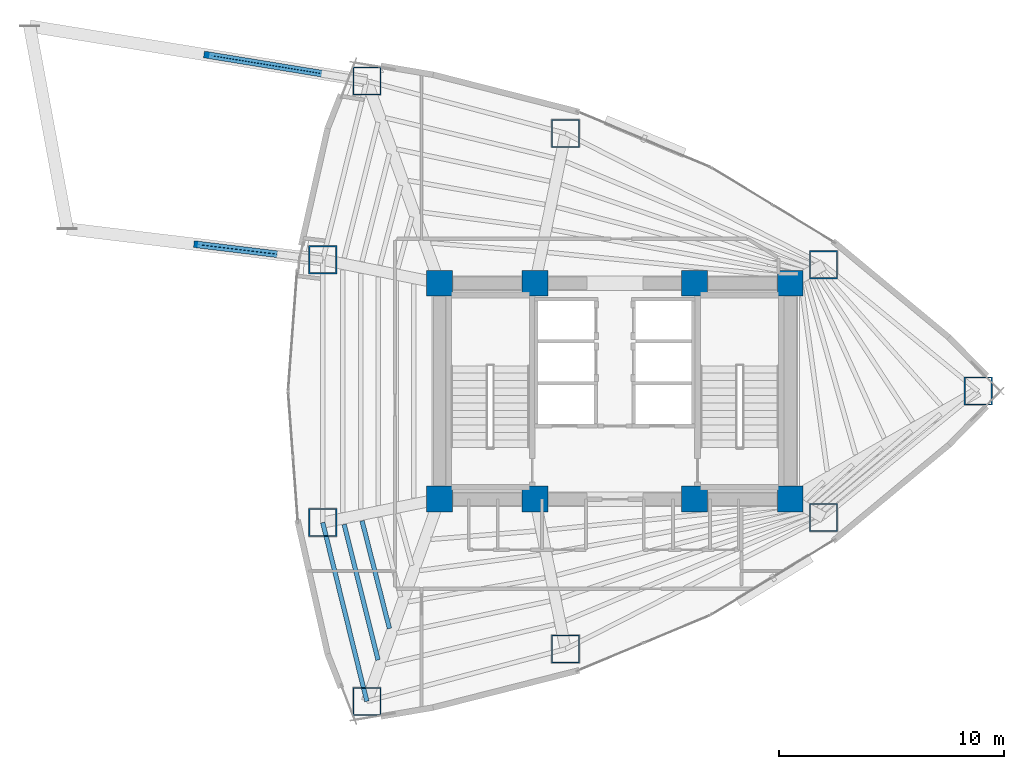
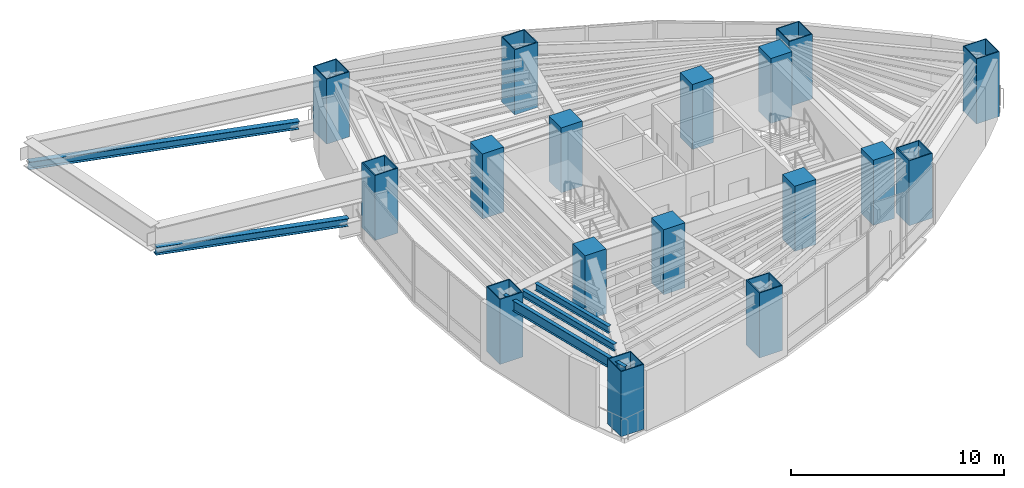
# One storey, part 1 of 17: 19 columns, 3 beams.
"""IFC4 building model written with IfcOpenShell, lengths in metres."""

from ifc_helpers import new_model, si_unit, direction, frame, origin, origin_2d, place, context, subcontext, project, spatial, rectangle, hollow_rectangle, i_section, extrude, material, material_profile, profile_set, type_object, element, save


model = new_model("IFC4")

# Units and contexts
model_context = context("Model", 3, precision=1e-05, world=origin(), true_north=direction((0.0, 1.0)))
body_context = subcontext(model_context, "Body", "Model", "MODEL_VIEW")
ifc_project = project(units=[si_unit("LENGTHUNIT", "METRE"), si_unit("AREAUNIT", "SQUARE_METRE"), si_unit("VOLUMEUNIT", "CUBIC_METRE"), si_unit("PLANEANGLEUNIT", "RADIAN"), si_unit("MASSUNIT", "GRAM", prefix="KILO")], contexts=[model_context])

# Site, building, storey
site_placement = place(None, origin())
site = spatial("IfcSite", under=ifc_project, at=site_placement, CompositionType="ELEMENT")
building_placement = place(site_placement, origin())
building = spatial("IfcBuilding", under=site, at=building_placement, Name="Menara Vayukalpa", CompositionType="ELEMENT")
storey_placement = place(building_placement, frame((0.0, 0.0, 100.260009765625)))
storey = spatial("IfcBuildingStorey", under=building, at=storey_placement, Name="L24", CompositionType="ELEMENT", Elevation=100.260009765625)

# Columns
ifc_material_1 = material(Name="Concrete C80/95", Category="concrete")
ifc_material_profile_1 = material_profile(ifc_material_1, rectangle(XDim=1.14990234375, YDim=1.14990234375, at=origin_2d()), Name="RC 1150x1150")
ifc_profile_set_1 = profile_set([ifc_material_profile_1], Name="Concrete C80/95")
column_type_1 = type_object("IfcColumnType", Name="COL-CC1", PredefinedType="COLUMN", material=ifc_profile_set_1)
for number, where, z_axis, x_axis, name in (
    (1, (17.800048828125, 17.199951171875, 0.0), (0.0, 0.0, 1.0), (1.0, 0.0, 0.0), "L24 Core Pilaster Column CC1"),
    (2, (22.050048828125, 17.199951171875, 0.0), (0.0, 0.0, 1.0), (1.0, 0.0, 0.0), "L24 Core Pilaster Column CC2"),
    (3, (29.14990234375, 17.199951171875, 0.0), (0.0, 0.0, 1.0), (1.0, 0.0, 0.0), "L24 Core Pilaster Column CC3"),
    (4, (33.39990234375, 17.199951171875, 0.0), (0.0, 0.0, 1.0), (1.0, 0.0, 0.0), "L24 Core Pilaster Column CC4"),
    (5, (17.800048828125, 26.800048828125, 0.0), (0.0, 0.0, 1.0), (1.0, 0.0, 0.0), "L24 Core Pilaster Column CC5"),
    (6, (22.050048828125, 26.800048828125, 0.0), (0.0, 0.0, 1.0), (1.0, 0.0, 0.0), "L24 Core Pilaster Column CC6"),
    (7, (29.14990234375, 26.800048828125, 0.0), (0.0, 0.0, 1.0), (1.0, 0.0, 0.0), "L24 Core Pilaster Column CC7"),
    (8, (33.39990234375, 26.800048828125, 0.0), (0.0, 0.0, 1.0), (1.0, 0.0, 0.0), "L24 Core Pilaster Column CC8"),
):
    element("IfcColumn", number, at=place(storey_placement, frame(where, z_axis=z_axis, x_axis=x_axis)), inside=storey, type_object=column_type_1, Name=name, PredefinedType="COLUMN", context=body_context, shape_type="SweptSolid", body=[
        extrude(rectangle(XDim=1.14990234375, YDim=1.14990234375, at=origin_2d()), origin(), (0.0, 0.0, 1.0), 3.719970703125),
    ])
ifc_material_2 = material(Name="Steel S460", Category="steel")
ifc_material_profile_2 = material_profile(ifc_material_2, hollow_rectangle(XDim=1.25, YDim=1.25, WallThickness=0.050048828125, at=origin_2d()), Name="BOX 1250x1250x50")
ifc_profile_set_2 = profile_set([ifc_material_profile_2], Name="Steel S460")
column_type_2 = type_object("IfcColumnType", Name="COL-MC2", PredefinedType="COLUMN", material=ifc_profile_set_2)
for number, where, z_axis, x_axis, name in (
    (9, (41.761962890625, 22.0, 0.0), (0.0, 0.0, 1.0), (1.0, 0.0, 0.0), "L24 Perimeter Mega Column P01"),
    (10, (34.88671875, 27.62158203125, 0.0), (0.0, 0.0, 1.0), (1.0, 0.0, 0.0), "L24 Perimeter Mega Column P02"),
    (11, (23.408203125, 33.46728515625, 0.0), (0.0, 0.0, 1.0), (1.0, 0.0, 0.0), "L24 Perimeter Mega Column P03"),
    (12, (14.569091796875, 35.79736328125, 0.0), (0.0, 0.0, 1.0), (1.0, 0.0, 0.0), "L24 Perimeter Mega Column P04"),
    (13, (12.606689453125, 27.845703125, 0.0), (0.0, 0.0, 1.0), (1.0, 0.0, 0.0), "L24 Perimeter Mega Column P05"),
    (14, (12.606689453125, 16.154296875, 0.0), (0.0, 0.0, 1.0), (1.0, 0.0, 0.0), "L24 Perimeter Mega Column P06"),
    (15, (14.569091796875, 8.20263671875, 0.0), (0.0, 0.0, 1.0), (1.0, 0.0, 0.0), "L24 Perimeter Mega Column P07"),
    (16, (23.408203125, 10.53271484375, 0.0), (0.0, 0.0, 1.0), (1.0, 0.0, 0.0), "L24 Perimeter Mega Column P08"),
    (17, (34.88671875, 16.37841796875, 0.0), (0.0, 0.0, 1.0), (1.0, 0.0, 0.0), "L24 Perimeter Mega Column P09"),
):
    element("IfcColumn", number, at=place(storey_placement, frame(where, z_axis=z_axis, x_axis=x_axis)), inside=storey, type_object=column_type_2, Name=name, PredefinedType="COLUMN", context=body_context, shape_type="SweptSolid", body=[
        extrude(hollow_rectangle(XDim=1.25, YDim=1.25, WallThickness=0.050048828125, at=origin_2d()), origin(), (0.0, 0.0, 1.0), 3.719970703125),
    ])
ifc_material_3 = material(Name="Steel S355", Category="steel")
ifc_material_profile_3 = material_profile(ifc_material_3, i_section(OverallWidth=0.300048828125, OverallDepth=0.43994140625, WebThickness=0.010986328125, FlangeThickness=0.01806640625, at=origin_2d()), Name="H 440x300x11x18")
ifc_profile_set_3 = profile_set([ifc_material_profile_3], Name="Steel S355")
column_type_3 = type_object("IfcColumnType", Name="COL-SC2E", PredefinedType="COLUMN", material=ifc_profile_set_3)
column_1_placement = place(storey_placement, frame((12.9404296875, 36.062255859375, 0.989990234375), z_axis=(-0.984181140629, 0.160118147952, 0.075826519947), x_axis=(-0.160580455037, -0.987022754277, 0.0)))
element("IfcColumn", 18, at=column_1_placement, inside=storey, type_object=column_type_3, Name="L24 SB2 Exterior Inclined Mega Strut 04", PredefinedType="COLUMN", context=body_context, shape_type="SweptSolid", body=[
    extrude(i_section(OverallWidth=0.300048828125, OverallDepth=0.43994140625, WebThickness=0.010986328125, FlangeThickness=0.01806640625, at=origin_2d()), origin(), (0.0, 0.0, 1.0), 13.583984375),
])
column_2_placement = place(storey_placement, frame((10.968505859375, 28.044189453125, 0.989990234375), z_axis=(-0.98729819996, 0.119646230867, 0.104532501145), x_axis=(-0.120305327095, -0.992736938102, 0.0)))
element("IfcColumn", 19, at=column_2_placement, inside=storey, type_object=column_type_3, Name="L24 SB2 Exterior Inclined Mega Strut 05", PredefinedType="COLUMN", context=body_context, shape_type="SweptSolid", body=[
    extrude(i_section(OverallWidth=0.300048828125, OverallDepth=0.43994140625, WebThickness=0.010986328125, FlangeThickness=0.01806640625, at=origin_2d()), origin(), (0.0, 0.0, 1.0), 9.853759765625),
])

# Beams
ifc_material_4 = material(Name="Steel S355", Category="steel")
ifc_material_profile_4 = material_profile(ifc_material_4, i_section(OverallWidth=0.199951171875, OverallDepth=0.39990234375, WebThickness=0.008056640625, FlangeThickness=0.012939453125, at=origin_2d()), Name="WF 400x200x8x13")
ifc_profile_set_4 = profile_set([ifc_material_profile_4], Name="Steel S355")
beam_type_1 = type_object("IfcBeamType", Name="BM-SJ2", PredefinedType="JOIST", material=ifc_profile_set_4)
beam_1_placement = place(storey_placement, frame((14.35546875, 16.2314453125, 3.239990234375), z_axis=(0.246347640812, -0.969181530915, 0.0), x_axis=(0.969181530915, 0.246347640812, 0.0)))
element("IfcBeam", 20, at=beam_1_placement, inside=storey, type_object=beam_type_1, Name="L24 Secondary Floor Joist SJ06-4", PredefinedType="JOIST", context=body_context, shape_type="SweptSolid", body=[
    extrude(i_section(OverallWidth=0.199951171875, OverallDepth=0.39990234375, WebThickness=0.008056640625, FlangeThickness=0.012939453125, at=origin_2d()), origin(), (0.0, 0.0, 1.0), 4.9404296875),
])
beam_2_placement = place(storey_placement, frame((13.562744140625, 16.07177734375, 3.239990234375), z_axis=(0.242507898658, -0.970149431319, 0.0), x_axis=(0.970149431319, 0.242507898658, 0.0)))
element("IfcBeam", 21, at=beam_2_placement, inside=storey, type_object=beam_type_1, Name="L24 Secondary Floor Joist SJ06-5", PredefinedType="JOIST", context=body_context, shape_type="SweptSolid", body=[
    extrude(i_section(OverallWidth=0.199951171875, OverallDepth=0.39990234375, WebThickness=0.008056640625, FlangeThickness=0.012939453125, at=origin_2d()), origin(), (0.0, 0.0, 1.0), 6.215576171875),
])
ifc_material_5 = material(Name="Steel S355", Category="steel")
ifc_material_profile_5 = material_profile(ifc_material_5, i_section(OverallWidth=0.199951171875, OverallDepth=0.60009765625, WebThickness=0.010986328125, FlangeThickness=0.01708984375, at=origin_2d()), Name="WF 600x200x11x17")
ifc_profile_set_5 = profile_set([ifc_material_profile_5], Name="Steel S355")
beam_type_2 = type_object("IfcBeamType", Name="BM-SP1", PredefinedType="SPANDREL", material=ifc_profile_set_5)
beam_3_placement = place(storey_placement, frame((12.606689453125, 16.154296875, 3.139892578125), z_axis=(0.239602739234, -0.970871014786, 0.0), x_axis=(0.970871014786, 0.239602739234, 0.0)))
element("IfcBeam", 22, at=beam_3_placement, inside=storey, type_object=beam_type_2, Name="L24 Perimeter Spandrel Beam SP06", PredefinedType="SPANDREL", context=body_context, shape_type="SweptSolid", body=[
    extrude(i_section(OverallWidth=0.199951171875, OverallDepth=0.60009765625, WebThickness=0.010986328125, FlangeThickness=0.01708984375, at=origin_2d()), origin(), (0.0, 0.0, 1.0), 8.190185546875),
])

save(model, "model.ifc")
